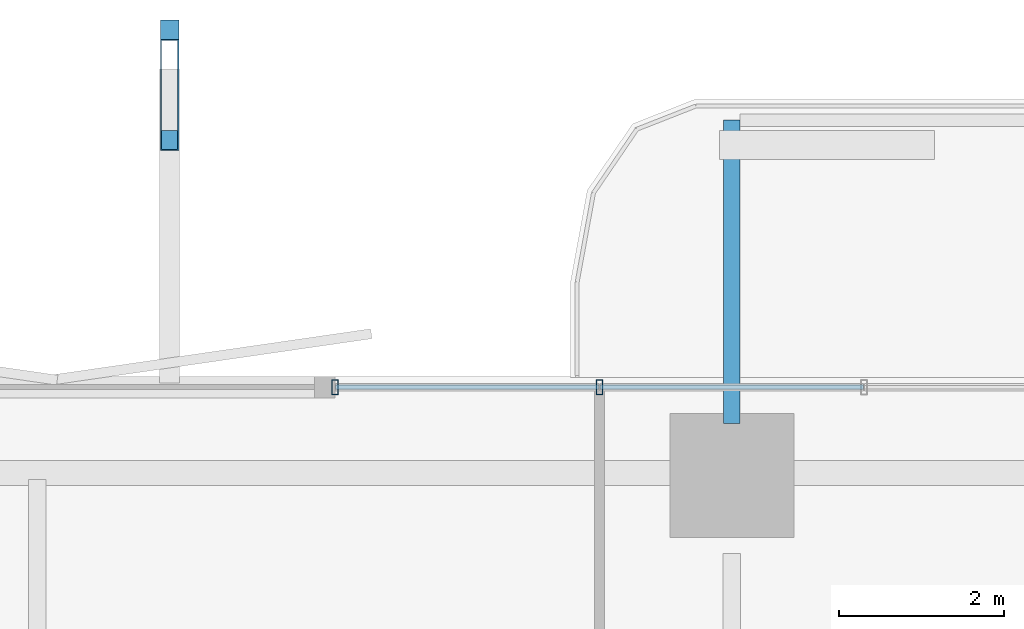
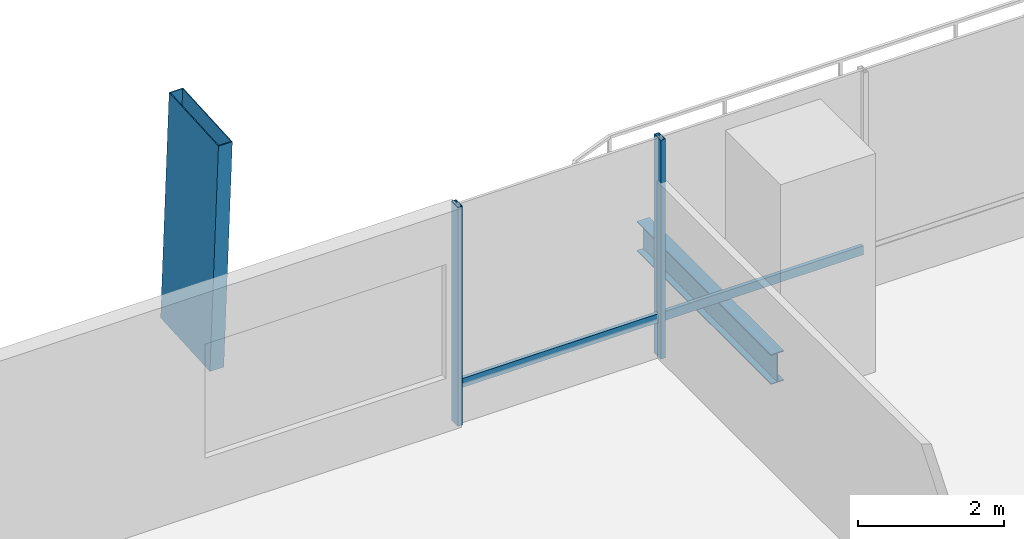
# One storey, part 17 of 30: 5 members, 1 beam, 1 element without a shape of its own.
"""IFC4 building model written with IfcOpenShell, lengths in metres."""

from ifc_helpers import new_model, si_unit, direction, frame, origin, origin_2d, place, context, subcontext, project, spatial, hollow_rectangle, i_section, extrude, material, layer, layer_set, material_profile, profile_set, type_object, element, aggregate, save


model = new_model("IFC4")

# Units and contexts
model_context = context("Model", 3, precision=1e-05, world=origin(), true_north=direction((0.0, 1.0)))
body_context = subcontext(model_context, "Body", "Model", "MODEL_VIEW")
ifc_project = project(units=[si_unit("LENGTHUNIT", "METRE"), si_unit("AREAUNIT", "SQUARE_METRE"), si_unit("VOLUMEUNIT", "CUBIC_METRE"), si_unit("PLANEANGLEUNIT", "RADIAN"), si_unit("MASSUNIT", "GRAM", prefix="KILO")], contexts=[model_context])

# Site, building, storey
site_placement = place(None, origin())
site = spatial("IfcSite", under=ifc_project, at=site_placement, CompositionType="ELEMENT")
building_placement = place(site_placement, origin())
building = spatial("IfcBuilding", under=site, at=building_placement, Name="Belovzor Exchange Tower", CompositionType="ELEMENT")
storey_placement = place(building_placement, frame((0.0, 0.0, 30.0)))
storey = spatial("IfcBuildingStorey", under=building, at=storey_placement, Name="L06", CompositionType="ELEMENT", Elevation=30.0)

# Member
ifc_material_1 = material(Name="Extruded Architectural Terracotta on Steel S355 Carrier", Category="masonry")
ifc_material_profile_1 = material_profile(ifc_material_1, hollow_rectangle(XDim=0.219970703125, YDim=1.35009765625, WallThickness=0.013916015625, at=origin_2d()))
ifc_profile_set_1 = profile_set([ifc_material_profile_1], Name="Extruded Architectural Terracotta on Steel S355 Carrier")
member_type_1 = type_object("IfcMemberType", Name="Base Arc Sweeping Terracotta Pylon Fin 1450", PredefinedType="USERDEFINED", material=ifc_profile_set_1)
member_1_placement = place(storey_placement, frame((22.0, 60.3369140625, -0.25), z_axis=(0.0, -0.059615826389, 0.998221394904), x_axis=(1.0, 0.0, 0.0)))
element("IfcMember", 1, at=member_1_placement, inside=storey, type_object=member_type_1, Name="FIN-TC145 Terracotta Facade Fin L06 N2", ObjectType="FIN", PredefinedType="USERDEFINED", context=body_context, shape_type="SweptSolid", body=[
    extrude(hollow_rectangle(XDim=0.219970703125, YDim=1.35009765625, WallThickness=0.013916015625, at=origin_2d()), origin(), (0.0, 0.0, 1.0), 3.90673828125),
])

# Beam
ifc_material_2 = material(Name="Steel S355", Category="steel")
ifc_material_profile_2 = material_profile(ifc_material_2, i_section(OverallWidth=0.199951171875, OverallDepth=0.5, WebThickness=0.01025390625, FlangeThickness=0.01611328125, at=origin_2d()))
ifc_profile_set_2 = profile_set([ifc_material_profile_2], Name="Steel S355")
beam_type = type_object("IfcBeamType", Name="Planted Balcony Cantilever Beam IPE 500", PredefinedType="BEAM", material=ifc_profile_set_2)
beam_placement = place(storey_placement, frame((28.800048828125, 56.1298828125, -0.5), z_axis=(0.0, 1.0, 0.0), x_axis=(-1.0, 0.0, 0.0)))
element("IfcBeam", 2, at=beam_placement, inside=storey, type_object=beam_type, Name="BC-500 Planted Balcony Cantilever Beam IPE 500", PredefinedType="BEAM", context=body_context, shape_type="SweptSolid", body=[
    extrude(i_section(OverallWidth=0.199951171875, OverallDepth=0.5, WebThickness=0.01025390625, FlangeThickness=0.01611328125, at=origin_2d()), origin(), (0.0, 0.0, 1.0), 3.670166015625),
])

# Curtain wall, members
ifc_material_3 = material(Name="Anodised Aluminium Framing", Category="aluminium")
ifc_layer = layer(ifc_material_3, 0.179931640625)
ifc_layer_set = layer_set([ifc_layer], Name="Anodised Aluminium Framing")
curtain_wall_type = type_object("IfcCurtainWallType", Name="Recessed Loggia Low-Iron Triple-Glazed Curtain Wall", PredefinedType="NOTDEFINED", material=ifc_layer_set)
curtain_wall_placement = place(storey_placement, origin())
curtain_wall = element("IfcCurtainWall", 3, at=curtain_wall_placement, inside=storey, type_object=curtain_wall_type, Name="CW3 Recessed Loggia Low-Iron Triple-Glazed Curtain Wall L06", PredefinedType="NOTDEFINED")
ifc_material_4 = material(Name="Steel S355", Category="steel")
ifc_material_profile_3 = material_profile(ifc_material_4, hollow_rectangle(XDim=0.074951171875, YDim=0.179931640625, WallThickness=0.0048828125, at=origin_2d()))
ifc_profile_set_3 = profile_set([ifc_material_profile_3], Name="Steel S355")
member_type_2 = type_object("IfcMemberType", Name="Thermally Broken Curtain Wall Mullion 180x75", PredefinedType="MULLION", material=ifc_profile_set_3)
member_2_placement = place(storey_placement, frame((24.0, 56.570068359375, 0.0), z_axis=(0.0, 0.0, 1.0), x_axis=(1.0, 0.0, 0.0)))
member_2 = element("IfcMember", 4, at=member_2_placement, type_object=member_type_2, Name="CW-M180 Curtain Wall Mullion 1", PredefinedType="MULLION", context=body_context, shape_type="SweptSolid", body=[
    extrude(hollow_rectangle(XDim=0.074951171875, YDim=0.179931640625, WallThickness=0.0048828125, at=origin_2d()), origin(), (0.0, 0.0, 1.0), 3.64990234375),
])
member_3_placement = place(storey_placement, frame((27.199951171875, 56.570068359375, 0.0), z_axis=(0.0, 0.0, 1.0), x_axis=(1.0, 0.0, 0.0)))
member_3 = element("IfcMember", 5, at=member_3_placement, type_object=member_type_2, Name="CW-M180 Curtain Wall Mullion 2", PredefinedType="MULLION", context=body_context, shape_type="SweptSolid", body=[
    extrude(hollow_rectangle(XDim=0.074951171875, YDim=0.179931640625, WallThickness=0.0048828125, at=origin_2d()), origin(), (0.0, 0.0, 1.0), 3.64990234375),
])
ifc_material_5 = material(Name="Steel S355", Category="steel")
ifc_material_profile_4 = material_profile(ifc_material_5, hollow_rectangle(XDim=0.06005859375, YDim=0.14990234375, WallThickness=0.00390625, at=origin_2d()))
ifc_profile_set_4 = profile_set([ifc_material_profile_4], Name="Steel S355")
member_type_3 = type_object("IfcMemberType", Name="Thermally Broken Curtain Wall Transom 150x60", PredefinedType="USERDEFINED", material=ifc_profile_set_4)
member_4_placement = place(storey_placement, frame((24.008056640625, 56.570068359375, 0.64990234375), z_axis=(1.0, 0.0, 0.0), x_axis=(0.0, 1.0, 0.0)))
member_4 = element("IfcMember", 6, at=member_4_placement, type_object=member_type_3, Name="CW-T150 Curtain Wall Transom 1", ObjectType="TRANSOM", PredefinedType="USERDEFINED", context=body_context, shape_type="SweptSolid", body=[
    extrude(hollow_rectangle(XDim=0.06005859375, YDim=0.14990234375, WallThickness=0.00390625, at=origin_2d()), origin(), (0.0, 0.0, 1.0), 3.183837890625),
])
member_5_placement = place(storey_placement, frame((27.2080078125, 56.570068359375, 0.64990234375), z_axis=(1.0, 0.0, 0.0), x_axis=(0.0, 1.0, 0.0)))
member_5 = element("IfcMember", 7, at=member_5_placement, type_object=member_type_3, Name="CW-T150 Curtain Wall Transom 2", ObjectType="TRANSOM", PredefinedType="USERDEFINED", context=body_context, shape_type="SweptSolid", body=[
    extrude(hollow_rectangle(XDim=0.06005859375, YDim=0.14990234375, WallThickness=0.00390625, at=origin_2d()), origin(), (0.0, 0.0, 1.0), 3.18408203125),
])
aggregate(curtain_wall, [member_2, member_3, member_4, member_5])

save(model, "model.ifc")
